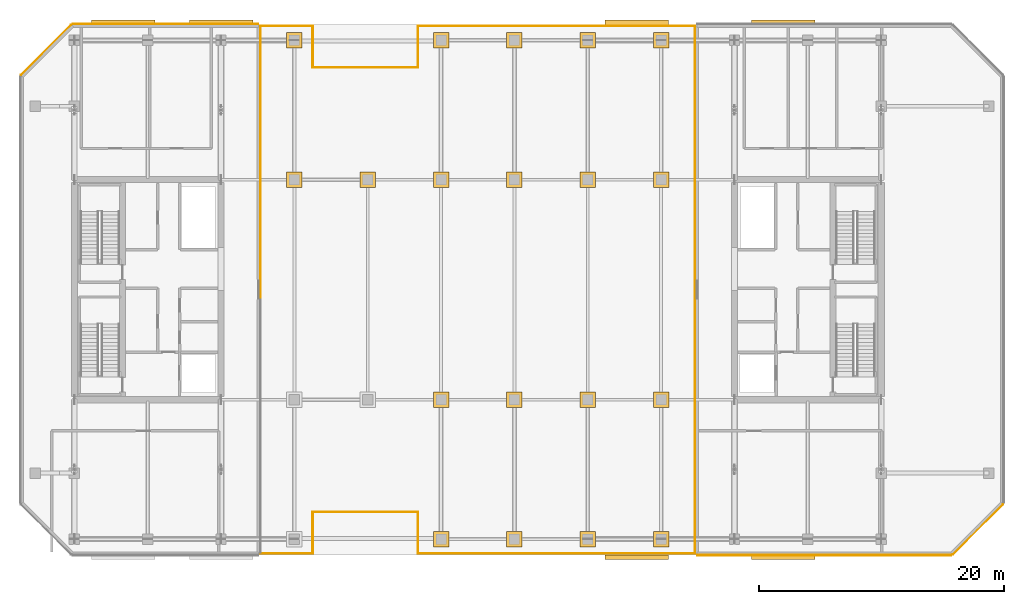
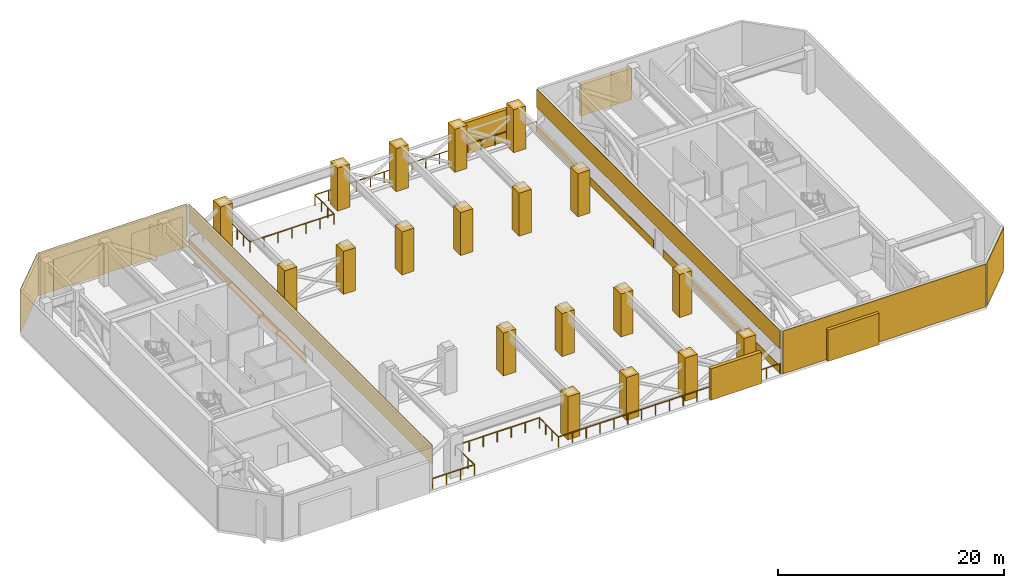
# One storey, part 16 of 18: 28 coverings, 6 shading devices, 2 railings.
"""IFC4 building model written with IfcOpenShell, lengths in metres."""

from ifc_helpers import new_model, si_unit, direction, frame, origin, origin_2d, place, context, subcontext, project, spatial, rectangle, extrude, material, layer, layer_set, type_object, element, save


model = new_model("IFC4")

# Units and contexts
model_context = context("Model", 3, precision=1e-05, world=origin(), true_north=direction((0.0, 1.0)))
body_context = subcontext(model_context, "Body", "Model", "MODEL_VIEW")
ifc_project = project(units=[si_unit("LENGTHUNIT", "METRE"), si_unit("AREAUNIT", "SQUARE_METRE"), si_unit("VOLUMEUNIT", "CUBIC_METRE"), si_unit("PLANEANGLEUNIT", "RADIAN"), si_unit("MASSUNIT", "GRAM", prefix="KILO")], contexts=[model_context])

# Site, building, storey
site_placement = place(None, origin())
site = spatial("IfcSite", under=ifc_project, at=site_placement, CompositionType="ELEMENT")
building_placement = place(site_placement, origin())
building = spatial("IfcBuilding", under=site, at=building_placement, Name="Tanjung Sevakor Pilgrim Tower", CompositionType="ELEMENT")
storey_placement = place(building_placement, frame((0.0, 0.0, 172.919921875)))
storey = spatial("IfcBuildingStorey", under=building, at=storey_placement, Name="L48", CompositionType="ELEMENT", Elevation=172.919921875)

# Coverings
ifc_material_1 = material(Name="Reconstructed Limestone Cladding", Category="masonry")
ifc_layer = layer(ifc_material_1, 0.044921875)
ifc_layer_set = layer_set([ifc_layer], Name="COV-CLAD-LIMESTONE")
covering_type = type_object("IfcCoveringType", Name="COV-CLAD-LIMESTONE", PredefinedType="CLADDING", material=ifc_layer_set)
covering_1_placement = place(storey_placement, frame((39.222412109375, 44.7724609375, 0.01025390625), z_axis=(0.0, 0.0, 1.0), x_axis=(0.0, 1.0, 0.0)))
element("IfcCovering", 1, at=covering_1_placement, inside=storey, type_object=covering_type, Name="L48 Warm Limestone Sill Spandrel EW-RFW-L48-2-2", PredefinedType="CLADDING", context=body_context, shape_type="SweptSolid", body=[
    extrude(rectangle(XDim=20.72509765625, YDim=0.044921875, at=origin_2d()), origin(), (0.0, 0.0, 1.0), 0.840087890625),
])
covering_2_placement = place(storey_placement, frame((39.222412109375, 33.60009765625, 2.66015625), z_axis=(0.0, 0.0, 1.0), x_axis=(0.0, 1.0, 0.0)))
element("IfcCovering", 2, at=covering_2_placement, inside=storey, type_object=covering_type, Name="L48 Warm Limestone Cornice Spandrel EW-RFW-L48-2", PredefinedType="CLADDING", context=body_context, shape_type="SweptSolid", body=[
    extrude(rectangle(XDim=43.110107421875, YDim=0.044921875, at=origin_2d()), origin(), (0.0, 0.0, 1.0), 2.0),
])
covering_3_placement = place(storey_placement, frame((31.46337890625, 55.322509765625, 0.02001953125), z_axis=(0.0, 0.0, 1.0), x_axis=(-1.0, 0.0, 0.0)))
element("IfcCovering", 3, at=covering_3_placement, inside=storey, type_object=covering_type, Name="L48 Warm Limestone Wall Cladding EW-RFW-L48-3", PredefinedType="CLADDING", context=body_context, shape_type="SweptSolid", body=[
    extrude(rectangle(XDim=15.18310546875, YDim=0.044921875, at=origin_2d()), origin(), (0.0, 0.0, 1.0), 4.6298828125),
])
covering_4_placement = place(storey_placement, frame((21.68408203125, 53.2158203125, 0.02001953125), z_axis=(0.0, 0.0, 1.0), x_axis=(-0.707106781187, -0.707106781187, 0.0)))
element("IfcCovering", 4, at=covering_4_placement, inside=storey, type_object=covering_type, Name="L48 Warm Limestone Wall Cladding EW-RFW-L48-4", PredefinedType="CLADDING", context=body_context, shape_type="SweptSolid", body=[
    extrude(rectangle(XDim=5.796142578125, YDim=0.044921875, at=origin_2d()), origin(), (0.0, 0.0, 1.0), 4.6298828125),
])
covering_5_placement = place(storey_placement, frame((85.336669921875, 11.87744140625, 0.02001953125), z_axis=(0.0, 0.0, 1.0), x_axis=(1.0, 0.0, 0.0)))
element("IfcCovering", 5, at=covering_5_placement, inside=storey, type_object=covering_type, Name="L48 Warm Limestone Wall Cladding EW-RFE-L48-1", PredefinedType="CLADDING", context=body_context, shape_type="SweptSolid", body=[
    extrude(rectangle(XDim=20.783203125, YDim=0.044921875, at=origin_2d()), origin(), (0.0, 0.0, 1.0), 4.6298828125),
])
covering_6_placement = place(storey_placement, frame((97.916015625, 13.984130859375, 0.02001953125), z_axis=(0.0, 0.0, 1.0), x_axis=(0.707106781187, 0.707106781187, 0.0)))
element("IfcCovering", 6, at=covering_6_placement, inside=storey, type_object=covering_type, Name="L48 Warm Limestone Wall Cladding EW-RFE-L48-2", PredefinedType="CLADDING", context=body_context, shape_type="SweptSolid", body=[
    extrude(rectangle(XDim=5.796142578125, YDim=0.044921875, at=origin_2d()), origin(), (0.0, 0.0, 1.0), 4.6298828125),
])
for number, where, z_axis, x_axis, name in (
    (7, (74.777587890625, 44.7724609375, 0.01025390625), (0.0, 0.0, 1.0), (0.0, -1.0, 0.0), "L48 Warm Limestone Sill Spandrel EW-RFE-L48-6-1"),
    (8, (74.777587890625, 22.427490234375, 0.01025390625), (0.0, 0.0, 1.0), (0.0, -1.0, 0.0), "L48 Warm Limestone Sill Spandrel EW-RFE-L48-6-2"),
):
    element("IfcCovering", number, at=place(storey_placement, frame(where, z_axis=z_axis, x_axis=x_axis)), inside=storey, type_object=covering_type, Name=name, PredefinedType="CLADDING", context=body_context, shape_type="SweptSolid", body=[
        extrude(rectangle(XDim=20.72509765625, YDim=0.044921875, at=origin_2d()), origin(), (0.0, 0.0, 1.0), 0.840087890625),
    ])
covering_7_placement = place(storey_placement, frame((74.777587890625, 33.60009765625, 2.66015625), z_axis=(0.0, 0.0, 1.0), x_axis=(0.0, -1.0, 0.0)))
element("IfcCovering", 9, at=covering_7_placement, inside=storey, type_object=covering_type, Name="L48 Warm Limestone Cornice Spandrel EW-RFE-L48-6", PredefinedType="CLADDING", context=body_context, shape_type="SweptSolid", body=[
    extrude(rectangle(XDim=43.110107421875, YDim=0.044921875, at=origin_2d()), origin(), (0.0, 0.0, 1.0), 2.0),
])
for number, where, z_axis, x_axis, name in (
    (10, (42.0, 42.60009765625, 0.010009765625), (0.0, 0.0, 1.0), (1.0, 0.0, 0.0), "L48 Portal Colonnade Limestone Casing 02"),
    (11, (48.0, 42.60009765625, 0.010009765625), (0.0, 0.0, 1.0), (1.0, 0.0, 0.0), "L48 Portal Colonnade Limestone Casing 04"),
    (12, (54.0, 24.60009765625, 0.010009765625), (0.0, 0.0, 1.0), (1.0, 0.0, 0.0), "L48 Portal Colonnade Limestone Casing 05"),
    (13, (54.0, 42.60009765625, 0.010009765625), (0.0, 0.0, 1.0), (1.0, 0.0, 0.0), "L48 Portal Colonnade Limestone Casing 06"),
    (14, (60.0, 24.60009765625, 0.010009765625), (0.0, 0.0, 1.0), (1.0, 0.0, 0.0), "L48 Portal Colonnade Limestone Casing 07"),
    (15, (60.0, 42.60009765625, 0.010009765625), (0.0, 0.0, 1.0), (1.0, 0.0, 0.0), "L48 Portal Colonnade Limestone Casing 08"),
    (16, (66.0, 24.60009765625, 0.010009765625), (0.0, 0.0, 1.0), (1.0, 0.0, 0.0), "L48 Portal Colonnade Limestone Casing 09"),
    (17, (66.0, 42.60009765625, 0.010009765625), (0.0, 0.0, 1.0), (1.0, 0.0, 0.0), "L48 Portal Colonnade Limestone Casing 10"),
    (18, (72.0, 24.60009765625, 0.010009765625), (0.0, 0.0, 1.0), (1.0, 0.0, 0.0), "L48 Portal Colonnade Limestone Casing 11"),
    (19, (72.0, 42.60009765625, 0.010009765625), (0.0, 0.0, 1.0), (1.0, 0.0, 0.0), "L48 Portal Colonnade Limestone Casing 12"),
    (20, (42.0, 54.0, 0.010009765625), (0.0, 0.0, 1.0), (1.0, 0.0, 0.0), "L48 Portal Colonnade Limestone Casing 28"),
    (21, (54.0, 13.199951171875, 0.010009765625), (0.0, 0.0, 1.0), (1.0, 0.0, 0.0), "L48 Portal Colonnade Limestone Casing 29"),
    (22, (54.0, 54.0, 0.010009765625), (0.0, 0.0, 1.0), (1.0, 0.0, 0.0), "L48 Portal Colonnade Limestone Casing 30"),
    (23, (60.0, 13.199951171875, 0.010009765625), (0.0, 0.0, 1.0), (1.0, 0.0, 0.0), "L48 Portal Colonnade Limestone Casing 31"),
    (24, (60.0, 54.0, 0.010009765625), (0.0, 0.0, 1.0), (1.0, 0.0, 0.0), "L48 Portal Colonnade Limestone Casing 32"),
    (25, (66.0, 13.199951171875, 0.010009765625), (0.0, 0.0, 1.0), (1.0, 0.0, 0.0), "L48 Portal Colonnade Limestone Casing 33"),
    (26, (66.0, 54.0, 0.010009765625), (0.0, 0.0, 1.0), (1.0, 0.0, 0.0), "L48 Portal Colonnade Limestone Casing 34"),
    (27, (72.0, 13.199951171875, 0.010009765625), (0.0, 0.0, 1.0), (1.0, 0.0, 0.0), "L48 Portal Colonnade Limestone Casing 35"),
    (28, (72.0, 54.0, 0.010009765625), (0.0, 0.0, 1.0), (1.0, 0.0, 0.0), "L48 Portal Colonnade Limestone Casing 36"),
):
    element("IfcCovering", number, at=place(storey_placement, frame(where, z_axis=z_axis, x_axis=x_axis)), inside=storey, type_object=covering_type, Name=name, PredefinedType="CLADDING", context=body_context, shape_type="SweptSolid", body=[
        extrude(rectangle(XDim=1.260009765625, YDim=1.260009765625, at=origin_2d()), origin(), (0.0, 0.0, 1.0), 4.64990234375),
    ])

# Railings
ifc_material_2 = material(Name="Steel S355J2", Category="steel")
railing_type = type_object("IfcRailingType", Name="RL-EXT-GUARD", PredefinedType="GUARDRAIL", material=ifc_material_2)
railing_1_placement = place(storey_placement, frame((39.219970703125, 12.02001953125, 0.0)))
element("IfcRailing", 29, at=railing_1_placement, inside=storey, type_object=railing_type, Name="L48 South Wind-Turbine Portal Guardrail", PredefinedType="GUARDRAIL", context=body_context, shape_type="SweptSolid", body=[
    extrude(rectangle(XDim=0.0479, YDim=0.0479), frame((0.0, 0.0, 1.1259765625), z_axis=(1.0, 0.0, 0.0), x_axis=(0.0, 1.0, 0.0)), (0.0, 0.0, 1.0), 4.280029296875),
    extrude(rectangle(XDim=0.0479, YDim=0.0479), frame((4.280029296875, 0.0, 1.1259765625), z_axis=(0.0, 1.0, 0.0), x_axis=(-1.0, 0.0, 0.0)), (0.0, 0.0, 1.0), 3.39990234375),
    extrude(rectangle(XDim=0.0479, YDim=0.0479), frame((4.280029296875, 3.39990234375, 1.1259765625), z_axis=(1.0, 0.0, 0.0), x_axis=(0.0, 1.0, 0.0)), (0.0, 0.0, 1.0), 8.60009765625),
    extrude(rectangle(XDim=0.0479, YDim=0.0479), frame((12.880126953125, 3.39990234375, 1.1259765625), z_axis=(0.0, -1.0, 0.0), x_axis=(1.0, 0.0, 0.0)), (0.0, 0.0, 1.0), 3.39990234375),
    extrude(rectangle(XDim=0.0479, YDim=0.0479), frame((12.880126953125, 0.0, 1.1259765625), z_axis=(1.0, 0.0, 0.0), x_axis=(0.0, 1.0, 0.0)), (0.0, 0.0, 1.0), 22.679931640625),
    extrude(rectangle(XDim=0.042, YDim=0.042), origin(), (0.0, 0.0, 1.0), 1.101806640625),
    extrude(rectangle(XDim=0.042, YDim=0.042), frame((1.4267578125, 0.0, 0.0)), (0.0, 0.0, 1.0), 1.101806640625),
    extrude(rectangle(XDim=0.042, YDim=0.042), frame((2.853271484375, 0.0, 0.0)), (0.0, 0.0, 1.0), 1.101806640625),
    extrude(rectangle(XDim=0.042, YDim=0.042), frame((4.280029296875, 0.0, 0.0)), (0.0, 0.0, 1.0), 1.101806640625),
    extrude(rectangle(XDim=0.042, YDim=0.042), frame((4.280029296875, 1.13330078125, 0.0)), (0.0, 0.0, 1.0), 1.101806640625),
    extrude(rectangle(XDim=0.042, YDim=0.042), frame((4.280029296875, 2.2666015625, 0.0)), (0.0, 0.0, 1.0), 1.101806640625),
    extrude(rectangle(XDim=0.042, YDim=0.042), frame((4.280029296875, 3.39990234375, 0.0)), (0.0, 0.0, 1.0), 1.101806640625),
    extrude(rectangle(XDim=0.042, YDim=0.042), frame((5.71337890625, 3.39990234375, 0.0)), (0.0, 0.0, 1.0), 1.101806640625),
    extrude(rectangle(XDim=0.042, YDim=0.042), frame((7.146728515625, 3.39990234375, 0.0)), (0.0, 0.0, 1.0), 1.101806640625),
    extrude(rectangle(XDim=0.042, YDim=0.042), frame((8.580078125, 3.39990234375, 0.0)), (0.0, 0.0, 1.0), 1.101806640625),
    extrude(rectangle(XDim=0.042, YDim=0.042), frame((10.013427734375, 3.39990234375, 0.0)), (0.0, 0.0, 1.0), 1.101806640625),
    extrude(rectangle(XDim=0.042, YDim=0.042), frame((11.44677734375, 3.39990234375, 0.0)), (0.0, 0.0, 1.0), 1.101806640625),
    extrude(rectangle(XDim=0.042, YDim=0.042), frame((12.880126953125, 3.39990234375, 0.0)), (0.0, 0.0, 1.0), 1.101806640625),
    extrude(rectangle(XDim=0.042, YDim=0.042), frame((12.880126953125, 2.2666015625, 0.0)), (0.0, 0.0, 1.0), 1.101806640625),
    extrude(rectangle(XDim=0.042, YDim=0.042), frame((12.880126953125, 1.13330078125, 0.0)), (0.0, 0.0, 1.0), 1.101806640625),
    extrude(rectangle(XDim=0.042, YDim=0.042), frame((12.880126953125, 0.0, 0.0)), (0.0, 0.0, 1.0), 1.101806640625),
    extrude(rectangle(XDim=0.042, YDim=0.042), frame((14.297607421875, 0.0, 0.0)), (0.0, 0.0, 1.0), 1.101806640625),
    extrude(rectangle(XDim=0.042, YDim=0.042), frame((15.715087890625, 0.0, 0.0)), (0.0, 0.0, 1.0), 1.101806640625),
    extrude(rectangle(XDim=0.042, YDim=0.042), frame((17.132568359375, 0.0, 0.0)), (0.0, 0.0, 1.0), 1.101806640625),
    extrude(rectangle(XDim=0.042, YDim=0.042), frame((18.550048828125, 0.0, 0.0)), (0.0, 0.0, 1.0), 1.101806640625),
    extrude(rectangle(XDim=0.042, YDim=0.042), frame((19.967529296875, 0.0, 0.0)), (0.0, 0.0, 1.0), 1.101806640625),
    extrude(rectangle(XDim=0.042, YDim=0.042), frame((21.385009765625, 0.0, 0.0)), (0.0, 0.0, 1.0), 1.101806640625),
    extrude(rectangle(XDim=0.042, YDim=0.042), frame((22.802490234375, 0.0, 0.0)), (0.0, 0.0, 1.0), 1.101806640625),
    extrude(rectangle(XDim=0.042, YDim=0.042), frame((24.22021484375, 0.0, 0.0)), (0.0, 0.0, 1.0), 1.101806640625),
    extrude(rectangle(XDim=0.042, YDim=0.042), frame((25.6376953125, 0.0, 0.0)), (0.0, 0.0, 1.0), 1.101806640625),
    extrude(rectangle(XDim=0.042, YDim=0.042), frame((27.05517578125, 0.0, 0.0)), (0.0, 0.0, 1.0), 1.101806640625),
    extrude(rectangle(XDim=0.042, YDim=0.042), frame((28.47265625, 0.0, 0.0)), (0.0, 0.0, 1.0), 1.101806640625),
    extrude(rectangle(XDim=0.042, YDim=0.042), frame((29.89013671875, 0.0, 0.0)), (0.0, 0.0, 1.0), 1.101806640625),
    extrude(rectangle(XDim=0.042, YDim=0.042), frame((31.3076171875, 0.0, 0.0)), (0.0, 0.0, 1.0), 1.101806640625),
    extrude(rectangle(XDim=0.042, YDim=0.042), frame((32.72509765625, 0.0, 0.0)), (0.0, 0.0, 1.0), 1.101806640625),
    extrude(rectangle(XDim=0.042, YDim=0.042), frame((34.142578125, 0.0, 0.0)), (0.0, 0.0, 1.0), 1.101806640625),
    extrude(rectangle(XDim=0.042, YDim=0.042), frame((35.56005859375, 0.0, 0.0)), (0.0, 0.0, 1.0), 1.101806640625),
])
railing_2_placement = place(storey_placement, frame((39.219970703125, 55.179931640625, 0.0)))
element("IfcRailing", 30, at=railing_2_placement, inside=storey, type_object=railing_type, Name="L48 North Wind-Turbine Portal Guardrail", PredefinedType="GUARDRAIL", context=body_context, shape_type="SweptSolid", body=[
    extrude(rectangle(XDim=0.0479, YDim=0.0479), frame((0.0, 0.0, 1.1259765625), z_axis=(1.0, 0.0, 0.0), x_axis=(0.0, 1.0, 0.0)), (0.0, 0.0, 1.0), 4.280029296875),
    extrude(rectangle(XDim=0.0479, YDim=0.0479), frame((4.280029296875, 0.0, 1.1259765625), z_axis=(0.0, -1.0, 0.0), x_axis=(1.0, 0.0, 0.0)), (0.0, 0.0, 1.0), 3.39990234375),
    extrude(rectangle(XDim=0.0479, YDim=0.0479), frame((4.280029296875, -3.39990234375, 1.1259765625), z_axis=(1.0, 0.0, 0.0), x_axis=(0.0, 1.0, 0.0)), (0.0, 0.0, 1.0), 8.60009765625),
    extrude(rectangle(XDim=0.0479, YDim=0.0479), frame((12.880126953125, -3.39990234375, 1.1259765625), z_axis=(0.0, 1.0, 0.0), x_axis=(-1.0, 0.0, 0.0)), (0.0, 0.0, 1.0), 3.39990234375),
    extrude(rectangle(XDim=0.0479, YDim=0.0479), frame((12.880126953125, 0.0, 1.1259765625), z_axis=(1.0, 0.0, 0.0), x_axis=(0.0, 1.0, 0.0)), (0.0, 0.0, 1.0), 22.679931640625),
    extrude(rectangle(XDim=0.042, YDim=0.042), origin(), (0.0, 0.0, 1.0), 1.101806640625),
    extrude(rectangle(XDim=0.042, YDim=0.042), frame((1.4267578125, 0.0, 0.0)), (0.0, 0.0, 1.0), 1.101806640625),
    extrude(rectangle(XDim=0.042, YDim=0.042), frame((2.853271484375, 0.0, 0.0)), (0.0, 0.0, 1.0), 1.101806640625),
    extrude(rectangle(XDim=0.042, YDim=0.042), frame((4.280029296875, 0.0, 0.0)), (0.0, 0.0, 1.0), 1.101806640625),
    extrude(rectangle(XDim=0.042, YDim=0.042), frame((4.280029296875, -1.13330078125, 0.0)), (0.0, 0.0, 1.0), 1.101806640625),
    extrude(rectangle(XDim=0.042, YDim=0.042), frame((4.280029296875, -2.2666015625, 0.0)), (0.0, 0.0, 1.0), 1.101806640625),
    extrude(rectangle(XDim=0.042, YDim=0.042), frame((4.280029296875, -3.39990234375, 0.0)), (0.0, 0.0, 1.0), 1.101806640625),
    extrude(rectangle(XDim=0.042, YDim=0.042), frame((5.71337890625, -3.39990234375, 0.0)), (0.0, 0.0, 1.0), 1.101806640625),
    extrude(rectangle(XDim=0.042, YDim=0.042), frame((7.146728515625, -3.39990234375, 0.0)), (0.0, 0.0, 1.0), 1.101806640625),
    extrude(rectangle(XDim=0.042, YDim=0.042), frame((8.580078125, -3.39990234375, 0.0)), (0.0, 0.0, 1.0), 1.101806640625),
    extrude(rectangle(XDim=0.042, YDim=0.042), frame((10.013427734375, -3.39990234375, 0.0)), (0.0, 0.0, 1.0), 1.101806640625),
    extrude(rectangle(XDim=0.042, YDim=0.042), frame((11.44677734375, -3.39990234375, 0.0)), (0.0, 0.0, 1.0), 1.101806640625),
    extrude(rectangle(XDim=0.042, YDim=0.042), frame((12.880126953125, -3.39990234375, 0.0)), (0.0, 0.0, 1.0), 1.101806640625),
    extrude(rectangle(XDim=0.042, YDim=0.042), frame((12.880126953125, -2.2666015625, 0.0)), (0.0, 0.0, 1.0), 1.101806640625),
    extrude(rectangle(XDim=0.042, YDim=0.042), frame((12.880126953125, -1.13330078125, 0.0)), (0.0, 0.0, 1.0), 1.101806640625),
    extrude(rectangle(XDim=0.042, YDim=0.042), frame((12.880126953125, 0.0, 0.0)), (0.0, 0.0, 1.0), 1.101806640625),
    extrude(rectangle(XDim=0.042, YDim=0.042), frame((14.297607421875, 0.0, 0.0)), (0.0, 0.0, 1.0), 1.101806640625),
    extrude(rectangle(XDim=0.042, YDim=0.042), frame((15.715087890625, 0.0, 0.0)), (0.0, 0.0, 1.0), 1.101806640625),
    extrude(rectangle(XDim=0.042, YDim=0.042), frame((17.132568359375, 0.0, 0.0)), (0.0, 0.0, 1.0), 1.101806640625),
    extrude(rectangle(XDim=0.042, YDim=0.042), frame((18.550048828125, 0.0, 0.0)), (0.0, 0.0, 1.0), 1.101806640625),
    extrude(rectangle(XDim=0.042, YDim=0.042), frame((19.967529296875, 0.0, 0.0)), (0.0, 0.0, 1.0), 1.101806640625),
    extrude(rectangle(XDim=0.042, YDim=0.042), frame((21.385009765625, 0.0, 0.0)), (0.0, 0.0, 1.0), 1.101806640625),
    extrude(rectangle(XDim=0.042, YDim=0.042), frame((22.802490234375, 0.0, 0.0)), (0.0, 0.0, 1.0), 1.101806640625),
    extrude(rectangle(XDim=0.042, YDim=0.042), frame((24.22021484375, 0.0, 0.0)), (0.0, 0.0, 1.0), 1.101806640625),
    extrude(rectangle(XDim=0.042, YDim=0.042), frame((25.6376953125, 0.0, 0.0)), (0.0, 0.0, 1.0), 1.101806640625),
    extrude(rectangle(XDim=0.042, YDim=0.042), frame((27.05517578125, 0.0, 0.0)), (0.0, 0.0, 1.0), 1.101806640625),
    extrude(rectangle(XDim=0.042, YDim=0.042), frame((28.47265625, 0.0, 0.0)), (0.0, 0.0, 1.0), 1.101806640625),
    extrude(rectangle(XDim=0.042, YDim=0.042), frame((29.89013671875, 0.0, 0.0)), (0.0, 0.0, 1.0), 1.101806640625),
    extrude(rectangle(XDim=0.042, YDim=0.042), frame((31.3076171875, 0.0, 0.0)), (0.0, 0.0, 1.0), 1.101806640625),
    extrude(rectangle(XDim=0.042, YDim=0.042), frame((32.72509765625, 0.0, 0.0)), (0.0, 0.0, 1.0), 1.101806640625),
    extrude(rectangle(XDim=0.042, YDim=0.042), frame((34.142578125, 0.0, 0.0)), (0.0, 0.0, 1.0), 1.101806640625),
    extrude(rectangle(XDim=0.042, YDim=0.042), frame((35.56005859375, 0.0, 0.0)), (0.0, 0.0, 1.0), 1.101806640625),
])

# Shading devices
ifc_material_3 = material(Name="Anodised Bronze Aluminium 6063-T6", Category="aluminium")
shading_device_type = type_object("IfcShadingDeviceType", Name="SHD-LOUVRE-SLOT", PredefinedType="USERDEFINED", material=ifc_material_3)
for number, where, z_axis, x_axis, name in (
    (31, (70.0, 11.719970703125, 0.000244140625), (0.0, 0.0, 1.0), (1.0, 0.0, 0.0), "L48 Plant Wing Acoustic Louvre S-03"),
    (32, (82.0, 11.719970703125, 0.000244140625), (0.0, 0.0, 1.0), (1.0, 0.0, 0.0), "L48 Plant Wing Acoustic Louvre S-04"),
    (33, (28.0, 55.47998046875, 0.000244140625), (0.0, 0.0, 1.0), (1.0, 0.0, 0.0), "L48 Plant Wing Acoustic Louvre N-01"),
    (34, (36.0, 55.47998046875, 0.000244140625), (0.0, 0.0, 1.0), (1.0, 0.0, 0.0), "L48 Plant Wing Acoustic Louvre N-02"),
    (35, (70.0, 55.47998046875, 0.000244140625), (0.0, 0.0, 1.0), (1.0, 0.0, 0.0), "L48 Plant Wing Acoustic Louvre N-03"),
    (36, (82.0, 55.47998046875, 0.000244140625), (0.0, 0.0, 1.0), (1.0, 0.0, 0.0), "L48 Plant Wing Acoustic Louvre N-04"),
):
    element("IfcShadingDevice", number, at=place(storey_placement, frame(where, z_axis=z_axis, x_axis=x_axis)), inside=storey, type_object=shading_device_type, Name=name, ObjectType="LOUVRE", PredefinedType="USERDEFINED", context=body_context, shape_type="SweptSolid", body=[
        extrude(rectangle(XDim=5.199951171875, YDim=0.360107421875, at=origin_2d()), origin(), (0.0, 0.0, 1.0), 3.39990234375),
    ])

save(model, "model.ifc")
